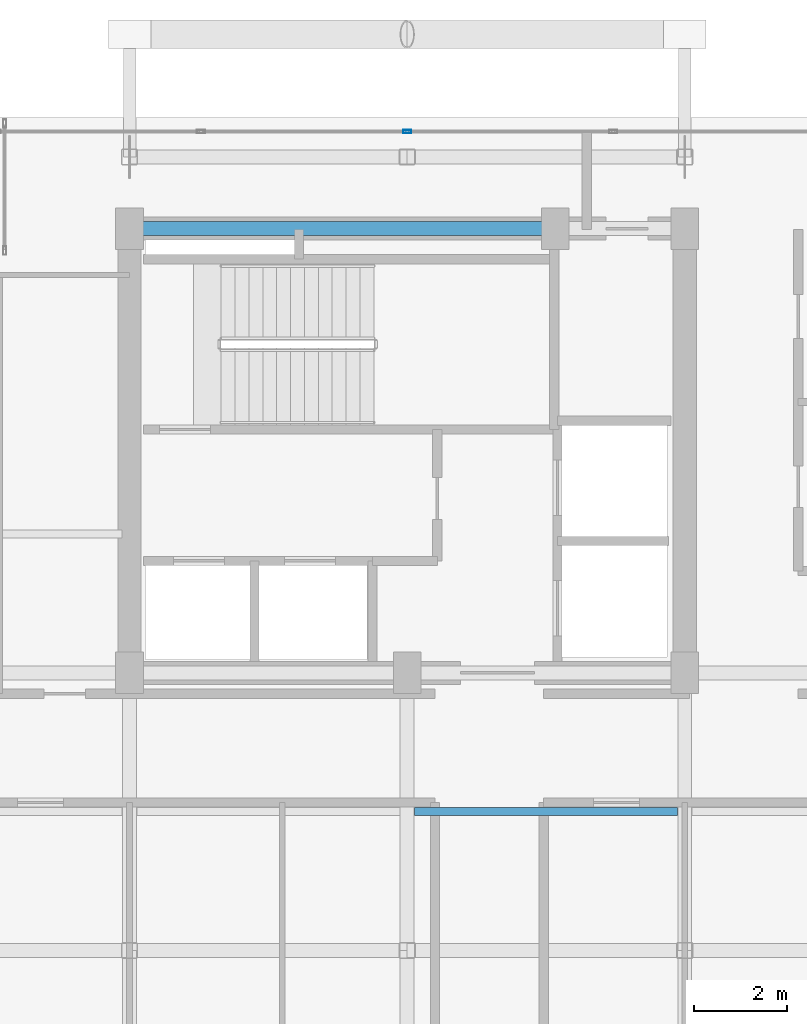
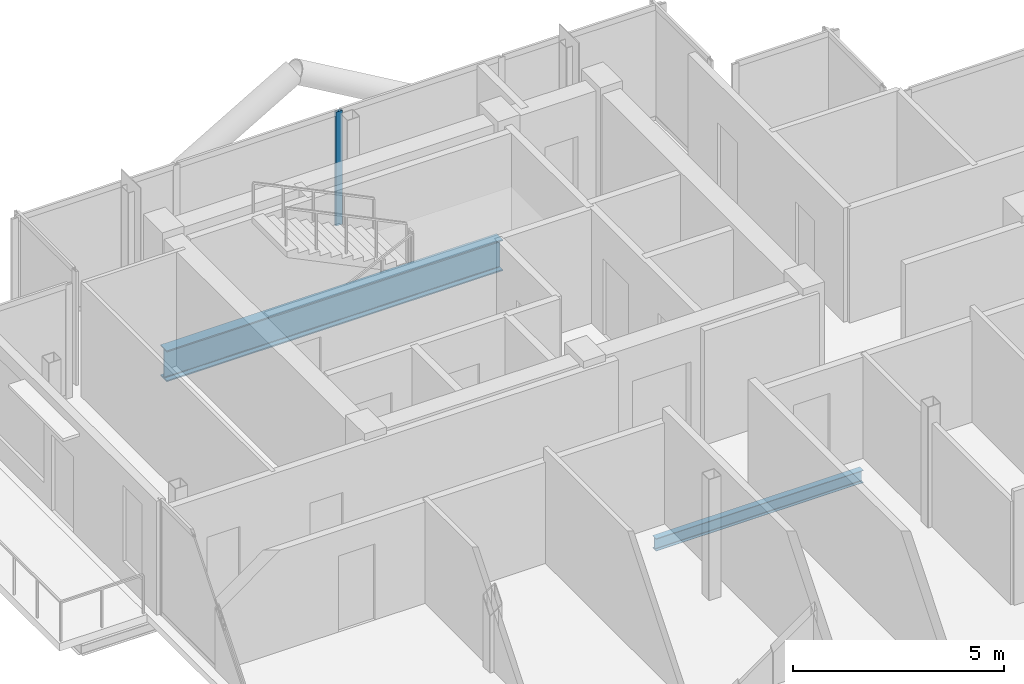
# One storey, part 9 of 19: 2 beams, 1 member, 1 element without a shape of its own.
"""IFC4 building model written with IfcOpenShell, lengths in metres."""

from ifc_helpers import new_model, si_unit, direction, frame, origin, origin_2d, place, context, subcontext, project, spatial, hollow_rectangle, i_section, extrude, material, layer, layer_set, material_profile, profile_set, type_object, element, aggregate, save


model = new_model("IFC4")

# Units and contexts
model_context = context("Model", 3, precision=1e-05, world=origin(), true_north=direction((0.0, 1.0)))
body_context = subcontext(model_context, "Body", "Model", "MODEL_VIEW")
ifc_project = project(units=[si_unit("LENGTHUNIT", "METRE"), si_unit("AREAUNIT", "SQUARE_METRE"), si_unit("VOLUMEUNIT", "CUBIC_METRE"), si_unit("PLANEANGLEUNIT", "RADIAN"), si_unit("MASSUNIT", "GRAM", prefix="KILO"), si_unit("THERMODYNAMICTEMPERATUREUNIT", "KELVIN"), si_unit("POWERUNIT", "WATT")], contexts=[model_context])

# Site, building, storey
site_placement = place(None, origin())
site = spatial("IfcSite", under=ifc_project, at=site_placement, CompositionType="ELEMENT")
building_placement = place(site_placement, origin())
building = spatial("IfcBuilding", under=site, at=building_placement, Name="Svarakhadi Broadcast Tower", CompositionType="ELEMENT")
storey_placement = place(building_placement, frame((0.0, 0.0, 257.199951171875)))
storey = spatial("IfcBuildingStorey", under=building, at=storey_placement, Name="L64", CompositionType="ELEMENT", Elevation=257.199951171875)

# Beam
ifc_material_1 = material(Name="Steel S355J2 (IS 2062 E350C)", Category="steel")
ifc_material_profile_1 = material_profile(ifc_material_1, i_section(OverallWidth=0.169921875, OverallDepth=0.360107421875, WebThickness=0.008056640625, FlangeThickness=0.0126953125, FilletRadius=0.01806640625, at=origin_2d()), Name="NPB 360x170x57")
ifc_profile_set_1 = profile_set([ifc_material_profile_1], Name="Steel S355J2 (IS 2062 E350C)")
beam_type_1 = type_object("IfcBeamType", Name="Beam_NPB360", PredefinedType="BEAM", material=ifc_profile_set_1)
beam_1_placement = place(storey_placement, frame((12.159912109375, 15.0, -0.3798828125), z_axis=(1.0, 0.0, 0.0), x_axis=(0.0, 1.0, 0.0)))
element("IfcBeam", 1, at=beam_1_placement, inside=storey, type_object=beam_type_1, Name="L64 Secondary Composite Beam SB009", PredefinedType="BEAM", context=body_context, shape_type="SweptSolid", body=[
    extrude(i_section(OverallWidth=0.169921875, OverallDepth=0.360107421875, WebThickness=0.008056640625, FlangeThickness=0.0126953125, FilletRadius=0.01806640625, at=origin_2d()), origin(), (0.0, 0.0, 1.0), 5.68017578125),
])

# Curtain wall, member
ifc_material_2 = material(Name="Anodised Bronze Aluminium AA 6063-T6", Category="aluminium")
ifc_layer = layer(ifc_material_2, 0.179931640625)
ifc_layer_set = layer_set([ifc_layer], Name="Anodised Bronze Aluminium AA 6063-T6")
curtain_wall_type = type_object("IfcCurtainWallType", Name="CW_Sys_05", PredefinedType="NOTDEFINED", material=ifc_layer_set)
curtain_wall_placement = place(storey_placement, origin())
curtain_wall = element("IfcCurtainWall", 2, at=curtain_wall_placement, inside=storey, type_object=curtain_wall_type, Name="L64 Unitised Facade Curtain Wall 05", PredefinedType="NOTDEFINED")
ifc_material_profile_2 = material_profile(ifc_material_2, hollow_rectangle(XDim=0.070068359375, YDim=0.179931640625, WallThickness=0.005615234375, at=origin_2d()), Name="ALU MULLION 180x70x6")
ifc_profile_set_2 = profile_set([ifc_material_profile_2], Name="Anodised Bronze Aluminium AA 6063-T6")
member_type = type_object("IfcMemberType", Name="CW_Sys_05_Mul", PredefinedType="MULLION", material=ifc_profile_set_2)
member_placement = place(storey_placement, frame((12.0, 29.699951171875, 0.0), z_axis=(0.0, 0.0, 1.0), x_axis=(0.0, 1.0, 0.0)))
member = element("IfcMember", 3, at=member_placement, type_object=member_type, Name="CW-05 mullion 3", PredefinedType="MULLION", context=body_context, shape_type="SweptSolid", body=[
    extrude(hollow_rectangle(XDim=0.070068359375, YDim=0.179931640625, WallThickness=0.005615234375, at=origin_2d()), origin(), (0.0, 0.0, 1.0), 3.300048828125),
])
aggregate(curtain_wall, [member])

# Beam
ifc_material_3 = material(Name="Steel S460ML (IS 2062 E450BR)", Category="steel")
ifc_material_profile_3 = material_profile(ifc_material_3, i_section(OverallWidth=0.300048828125, OverallDepth=0.89990234375, WebThickness=0.0185546875, FlangeThickness=0.034912109375, FilletRadius=0.030029296875, at=origin_2d()), Name="WPB 900x300x291")
ifc_profile_set_3 = profile_set([ifc_material_profile_3], Name="Steel S460ML (IS 2062 E450BR)")
beam_type_2 = type_object("IfcBeamType", Name="Girder_WPB900", PredefinedType="USERDEFINED", material=ifc_profile_set_3)
beam_2_placement = place(storey_placement, frame((6.0, 27.60009765625, -0.64990234375), z_axis=(1.0, 0.0, 0.0), x_axis=(0.0, 1.0, 0.0)))
element("IfcBeam", 4, at=beam_2_placement, inside=storey, type_object=beam_type_2, Name="L64 Primary E-W Girder G022", ObjectType="GIRDER", PredefinedType="USERDEFINED", context=body_context, shape_type="SweptSolid", body=[
    extrude(i_section(OverallWidth=0.300048828125, OverallDepth=0.89990234375, WebThickness=0.0185546875, FlangeThickness=0.034912109375, FilletRadius=0.030029296875, at=origin_2d()), origin(), (0.0, 0.0, 1.0), 9.199951171875),
])

save(model, "model.ifc")
